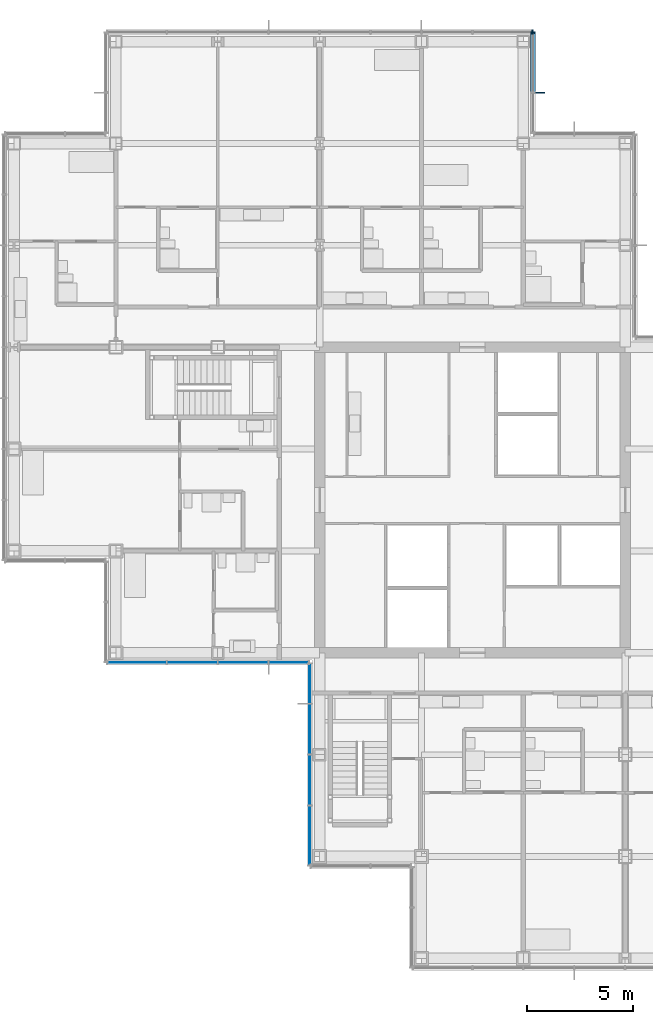
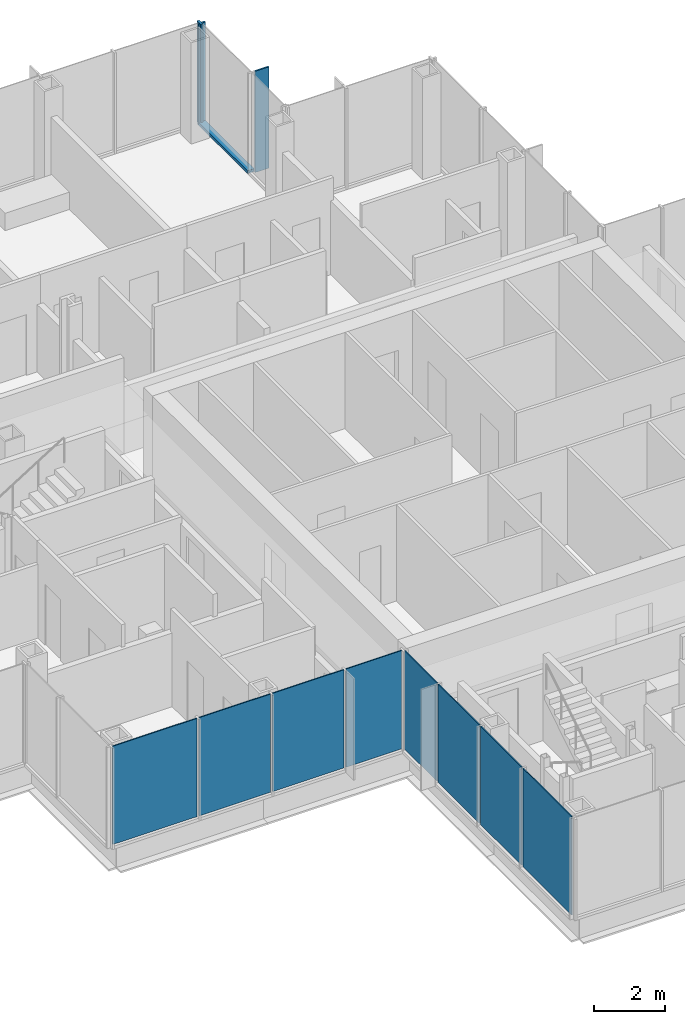
# One storey, part 11 of 20: 8 plates, 4 members, 4 elements without a shape of their own.
"""IFC4 building model written with IfcOpenShell, lengths in metres."""

from ifc_helpers import new_model, si_unit, direction, frame, origin, origin_2d, place, context, subcontext, project, spatial, rectangle, extrude, material, layer, layer_set, material_profile, profile_set, type_object, element, aggregate, save


model = new_model("IFC4")

# Units and contexts
model_context = context("Model", 3, precision=1e-05, world=origin(), true_north=direction((0.0, 1.0)))
body_context = subcontext(model_context, "Body", "Model", "MODEL_VIEW")
ifc_project = project(units=[si_unit("LENGTHUNIT", "METRE"), si_unit("AREAUNIT", "SQUARE_METRE"), si_unit("VOLUMEUNIT", "CUBIC_METRE"), si_unit("PLANEANGLEUNIT", "RADIAN"), si_unit("MASSUNIT", "GRAM", prefix="KILO")], contexts=[model_context])

# Site, building, storey
site_placement = place(None, origin())
site = spatial("IfcSite", under=ifc_project, at=site_placement, CompositionType="ELEMENT")
building_placement = place(site_placement, origin())
building = spatial("IfcBuilding", under=site, at=building_placement, Name="Kvirike Care Tower", CompositionType="ELEMENT")
storey_placement = place(building_placement, frame((0.0, 0.0, 94.5)))
storey = spatial("IfcBuildingStorey", under=building, at=storey_placement, Name="L25", CompositionType="ELEMENT", Elevation=94.5)

# Curtain wall, members
ifc_material_1 = material(Name="Anodised aluminium stick system", Category="aluminium")
curtain_wall_type = type_object("IfcCurtainWallType", Name="CW-B STICK CURTAIN WALL", PredefinedType="NOTDEFINED", material=ifc_material_1)
curtain_wall_1_placement = place(storey_placement, origin())
curtain_wall_1 = element("IfcCurtainWall", 1, at=curtain_wall_1_placement, inside=storey, type_object=curtain_wall_type, Name="Curtain wall L25 face 7", PredefinedType="NOTDEFINED")
ifc_material_2 = material(Name="Bronze anodised aluminium fin", Category="aluminium")
ifc_material_profile_1 = material_profile(ifc_material_2, rectangle(XDim=0.050048828125, YDim=0.449951171875, at=origin_2d()), Name="BRONZE FIN 450")
ifc_profile_set_1 = profile_set([ifc_material_profile_1], Name="Bronze anodised aluminium fin")
member_type_1 = type_object("IfcMemberType", Name="BRONZE FIN 450", PredefinedType="USERDEFINED", material=ifc_profile_set_1)
member_1_placement = place(storey_placement, frame((24.794921875, 55.199951171875, 0.0), z_axis=(0.0, 0.0, 1.0), x_axis=(0.0, 1.0, 0.0)))
member_1 = element("IfcMember", 2, at=member_1_placement, type_object=member_type_1, Name="Bronze fin L25 face 7.2", ObjectType="FIN", PredefinedType="USERDEFINED", context=body_context, shape_type="SweptSolid", body=[
    extrude(rectangle(XDim=0.050048828125, YDim=0.449951171875, at=origin_2d()), origin(), (0.0, 0.0, 1.0), 3.5),
])
ifc_material_3 = material(Name="Bronze anodised aluminium mullion", Category="aluminium")
ifc_material_profile_2 = material_profile(ifc_material_3, rectangle(XDim=0.06494140625, YDim=0.219970703125, at=origin_2d()), Name="CW-B MULLION 65x220")
ifc_profile_set_2 = profile_set([ifc_material_profile_2], Name="Bronze anodised aluminium mullion")
member_type_2 = type_object("IfcMemberType", Name="CW-B MULLION 65x220", PredefinedType="MULLION", material=ifc_profile_set_2)
member_2_placement = place(storey_placement, frame((24.4599609375, 58.027587890625, 0.0), z_axis=(0.0, 0.0, 1.0), x_axis=(0.0, 1.0, 0.0)))
member_2 = element("IfcMember", 3, at=member_2_placement, type_object=member_type_2, Name="CW-B mullion L25 face 7.3", PredefinedType="MULLION", context=body_context, shape_type="SweptSolid", body=[
    extrude(rectangle(XDim=0.06494140625, YDim=0.219970703125, at=origin_2d()), origin(), (0.0, 0.0, 1.0), 3.5),
])

# Curtain wall, member
curtain_wall_2_placement = place(storey_placement, origin())
curtain_wall_2 = element("IfcCurtainWall", 4, at=curtain_wall_2_placement, inside=storey, type_object=curtain_wall_type, Name="Curtain wall L25 face 8", PredefinedType="NOTDEFINED")
member_3_placement = place(storey_placement, frame((24.427490234375, 58.06005859375, 0.0), z_axis=(0.0, 0.0, 1.0), x_axis=(-1.0, 0.0, 0.0)))
member_3 = element("IfcMember", 5, at=member_3_placement, type_object=member_type_2, Name="CW-B mullion L25 face 8.1", PredefinedType="MULLION", context=body_context, shape_type="SweptSolid", body=[
    extrude(rectangle(XDim=0.06494140625, YDim=0.219970703125, at=origin_2d()), origin(), (0.0, 0.0, 1.0), 3.5),
])
aggregate(curtain_wall_2, [member_3])

# Member
ifc_material_4 = material(Name="Bronze anodised aluminium transom", Category="aluminium")
ifc_material_profile_3 = material_profile(ifc_material_4, rectangle(XDim=0.219970703125, YDim=0.10009765625, at=origin_2d()), Name="CW-B TRANSOM 220x100")
ifc_profile_set_3 = profile_set([ifc_material_profile_3], Name="Bronze anodised aluminium transom")
member_type_3 = type_object("IfcMemberType", Name="CW-B TRANSOM 220x100", PredefinedType="USERDEFINED", material=ifc_profile_set_3)
member_4_placement = place(storey_placement, frame((24.4599609375, 55.232421875, 0.050048828125), z_axis=(0.0, 1.0, 0.0), x_axis=(-1.0, 0.0, 0.0)))
member_4 = element("IfcMember", 6, at=member_4_placement, type_object=member_type_3, Name="CW-B sill transom L25 face 7.2", ObjectType="TRANSOM", PredefinedType="USERDEFINED", context=body_context, shape_type="SweptSolid", body=[
    extrude(rectangle(XDim=0.219970703125, YDim=0.10009765625, at=origin_2d()), origin(), (0.0, 0.0, 1.0), 2.7626953125),
])

aggregate(curtain_wall_1, [member_1, member_2, member_4])

# Curtain wall, plates
curtain_wall_3_placement = place(storey_placement, origin())
curtain_wall_3 = element("IfcCurtainWall", 7, at=curtain_wall_3_placement, inside=storey, type_object=curtain_wall_type, Name="Curtain wall L25 face 14", PredefinedType="NOTDEFINED")
ifc_material_5 = material(Name="Tinted double glazed unit", Category="glass")
ifc_layer = layer(ifc_material_5, 0.035888671875)
ifc_layer_set = layer_set([ifc_layer], Name="TINTED VISION PANEL 36")
plate_type = type_object("IfcPlateType", Name="TINTED VISION PANEL 36", PredefinedType="CURTAIN_PANEL", material=ifc_layer_set)
plate_1_placement = place(storey_placement, frame((5.7861328125, 28.340087890625, 0.10009765625), z_axis=(0.0, 0.0, 1.0), x_axis=(1.0, 0.0, 0.0)))
plate_1 = element("IfcPlate", 8, at=plate_1_placement, type_object=plate_type, Name="CW-B panel L25 face 14.1", PredefinedType="CURTAIN_PANEL", context=body_context, shape_type="SweptSolid", body=[
    extrude(rectangle(XDim=2.762451171875, YDim=0.035888671875, at=origin_2d()), origin(), (0.0, 0.0, 1.0), 3.39990234375),
])
plate_2_placement = place(storey_placement, frame((8.39990234375, 28.340087890625, 0.10009765625), z_axis=(0.0, 0.0, 1.0), x_axis=(1.0, 0.0, 0.0)))
plate_2 = element("IfcPlate", 9, at=plate_2_placement, type_object=plate_type, Name="CW-B panel L25 face 14.2", PredefinedType="CURTAIN_PANEL", context=body_context, shape_type="SweptSolid", body=[
    extrude(rectangle(XDim=2.3349609375, YDim=0.035888671875, at=origin_2d()), origin(), (0.0, 0.0, 1.0), 3.39990234375),
])
plate_3_placement = place(storey_placement, frame((10.800048828125, 28.340087890625, 0.10009765625), z_axis=(0.0, 0.0, 1.0), x_axis=(1.0, 0.0, 0.0)))
plate_3 = element("IfcPlate", 10, at=plate_3_placement, type_object=plate_type, Name="CW-B panel L25 face 14.3", PredefinedType="CURTAIN_PANEL", context=body_context, shape_type="SweptSolid", body=[
    extrude(rectangle(XDim=2.3349609375, YDim=0.035888671875, at=origin_2d()), origin(), (0.0, 0.0, 1.0), 3.39990234375),
])
plate_4_placement = place(storey_placement, frame((12.953857421875, 28.340087890625, 0.10009765625), z_axis=(0.0, 0.0, 1.0), x_axis=(1.0, 0.0, 0.0)))
plate_4 = element("IfcPlate", 11, at=plate_4_placement, type_object=plate_type, Name="CW-B panel L25 face 14.4", PredefinedType="CURTAIN_PANEL", context=body_context, shape_type="SweptSolid", body=[
    extrude(rectangle(XDim=1.842529296875, YDim=0.035888671875, at=origin_2d()), origin(), (0.0, 0.0, 1.0), 3.39990234375),
])
aggregate(curtain_wall_3, [plate_1, plate_2, plate_3, plate_4])

curtain_wall_4_placement = place(storey_placement, origin())
curtain_wall_4 = element("IfcCurtainWall", 12, at=curtain_wall_4_placement, inside=storey, type_object=curtain_wall_type, Name="Curtain wall L25 face 15", PredefinedType="NOTDEFINED")
plate_5_placement = place(storey_placement, frame((13.93994140625, 27.353759765625, 0.10009765625), z_axis=(0.0, 0.0, 1.0), x_axis=(0.0, -1.0, 0.0)))
plate_5 = element("IfcPlate", 13, at=plate_5_placement, type_object=plate_type, Name="CW-B panel L25 face 15.1", PredefinedType="CURTAIN_PANEL", context=body_context, shape_type="SweptSolid", body=[
    extrude(rectangle(XDim=1.842529296875, YDim=0.035888671875, at=origin_2d()), origin(), (0.0, 0.0, 1.0), 3.39990234375),
])
plate_6_placement = place(storey_placement, frame((13.93994140625, 25.199951171875, 0.10009765625), z_axis=(0.0, 0.0, 1.0), x_axis=(0.0, -1.0, 0.0)))
plate_6 = element("IfcPlate", 14, at=plate_6_placement, type_object=plate_type, Name="CW-B panel L25 face 15.2", PredefinedType="CURTAIN_PANEL", context=body_context, shape_type="SweptSolid", body=[
    extrude(rectangle(XDim=2.3349609375, YDim=0.035888671875, at=origin_2d()), origin(), (0.0, 0.0, 1.0), 3.39990234375),
])
plate_7_placement = place(storey_placement, frame((13.93994140625, 22.800048828125, 0.10009765625), z_axis=(0.0, 0.0, 1.0), x_axis=(0.0, -1.0, 0.0)))
plate_7 = element("IfcPlate", 15, at=plate_7_placement, type_object=plate_type, Name="CW-B panel L25 face 15.3", PredefinedType="CURTAIN_PANEL", context=body_context, shape_type="SweptSolid", body=[
    extrude(rectangle(XDim=2.3349609375, YDim=0.035888671875, at=origin_2d()), origin(), (0.0, 0.0, 1.0), 3.39990234375),
])
plate_8_placement = place(storey_placement, frame((13.93994140625, 20.186279296875, 0.10009765625), z_axis=(0.0, 0.0, 1.0), x_axis=(0.0, -1.0, 0.0)))
plate_8 = element("IfcPlate", 16, at=plate_8_placement, type_object=plate_type, Name="CW-B panel L25 face 15.4", PredefinedType="CURTAIN_PANEL", context=body_context, shape_type="SweptSolid", body=[
    extrude(rectangle(XDim=2.762451171875, YDim=0.035888671875, at=origin_2d()), origin(), (0.0, 0.0, 1.0), 3.39990234375),
])
aggregate(curtain_wall_4, [plate_5, plate_6, plate_7, plate_8])

save(model, "model.ifc")
